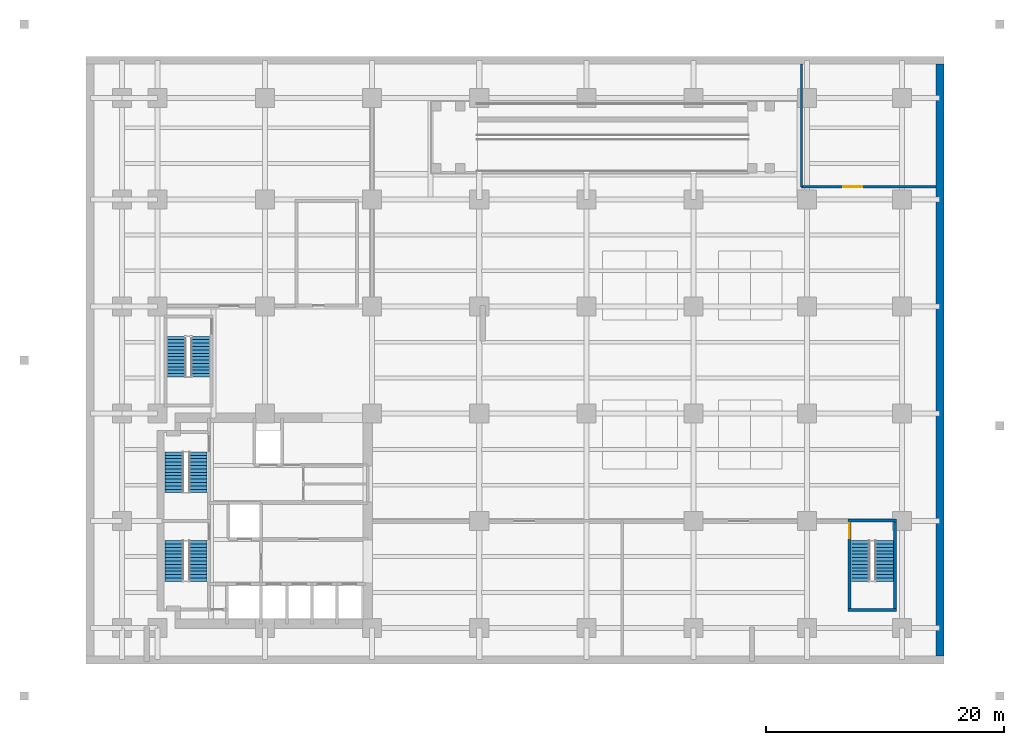
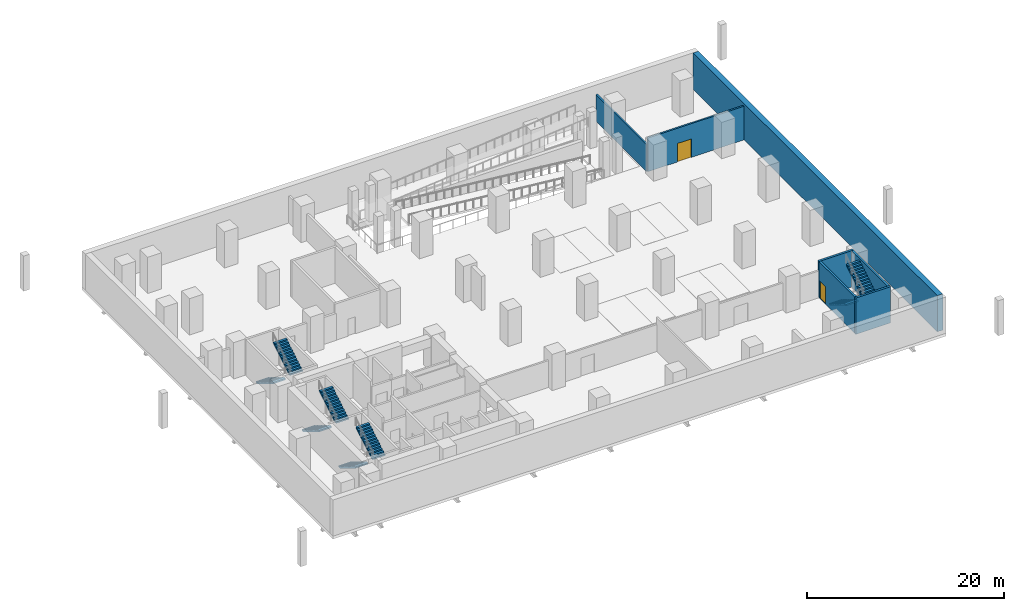
# One storey, part 8 of 10: 8 stair flights, 7 walls, 2 doors, 2 openings, 4 elements without a shape of their own.
"""IFC4 building model written with IfcOpenShell, lengths in metres."""

from ifc_helpers import new_model, si_unit, direction, frame, frame_2d, origin, place, context, subcontext, project, spatial, polyline, rectangle, outline, extrude, material, layer, layer_set, type_object, element, fill, aggregate, save


model = new_model("IFC4")

# Units and contexts
model_context = context("Model", 3, precision=1e-05, world=origin(), true_north=direction((0.0, 1.0)))
body_context = subcontext(model_context, "Body", "Model", "MODEL_VIEW")
ifc_project = project(units=[si_unit("LENGTHUNIT", "METRE"), si_unit("AREAUNIT", "SQUARE_METRE"), si_unit("VOLUMEUNIT", "CUBIC_METRE"), si_unit("PLANEANGLEUNIT", "RADIAN"), si_unit("MASSUNIT", "GRAM", prefix="KILO")], contexts=[model_context])

# Site, building, storey
site_placement = place(None, origin())
site = spatial("IfcSite", under=ifc_project, at=site_placement, CompositionType="ELEMENT")
building_placement = place(site_placement, origin())
building = spatial("IfcBuilding", under=site, at=building_placement, Name="Mawjdan Bourse Tower", CompositionType="ELEMENT")
storey_placement = place(building_placement, frame((0.0, 0.0, -4.5)))
storey = spatial("IfcBuildingStorey", under=building, at=storey_placement, Name="B01", CompositionType="ELEMENT", Elevation=-4.5)

# Wall, opening, door
ifc_material_1 = material(Name="Gypsum Fireboard Assembly")
ifc_layer_1 = layer(ifc_material_1, 0.199951171875)
ifc_layer_set_1 = layer_set([ifc_layer_1], Name="Gypsum Fireboard Assembly")
wall_type_1 = type_object("IfcWallType", Name="WL-CMP-200", PredefinedType="PARTITIONING", material=ifc_layer_set_1)
wall_1_placement = place(storey_placement, frame((60.050048828125, 40.050048828125, 0.0), z_axis=(0.0, 0.0, 1.0), x_axis=(1.0, 0.0, 0.0)))
wall_1 = element("IfcWall", 1, at=wall_1_placement, inside=storey, type_object=wall_type_1, Name="B01 Smoke Fan South Wall", PredefinedType="PARTITIONING", context=body_context, shape_type="SweptSolid", body=[
    extrude(rectangle(XDim=11.300048828125, YDim=0.199951171875, at=frame_2d((5.64990234375, 0.0))), origin(), (0.0, 0.0, 1.0), 4.18994140625),
])
opening_1_placement = place(wall_1_placement, frame((3.5, 0.0, 0.0)))
opening_1 = element("IfcOpeningElement", 2, at=opening_1_placement, cuts=wall_1, Name="Opening PD-B01-24", PredefinedType="OPENING", context=body_context, shape_type="SweptSolid", body=[
    extrude(rectangle(XDim=1.60009765625, YDim=2.300048828125, at=frame_2d((0.800048828125, 1.14990234375))), frame((0.0, 0.10986328125, 0.0), z_axis=(0.0, -1.0, 0.0), x_axis=(1.0, 0.0, 0.0)), (0.0, 0.0, 1.0), 0.219970703125),
])
ifc_material_2 = material(Name="Fire-Rated Acoustic Steel", Category="steel")
door_type_1 = type_object("IfcDoorType", Name="FD-PLT-1600", OperationType="DOUBLE_DOOR_SINGLE_SWING", PredefinedType="DOOR", material=ifc_material_2)
door_1_placement = place(opening_1_placement, origin())
door_1 = element("IfcDoor", 3, at=door_1_placement, inside=storey, type_object=door_type_1, Name="B01 Smoke Fan Room Door PD-B01-24", OperationType="DOUBLE_DOOR_SINGLE_SWING", OverallHeight=2.300048828125, OverallWidth=1.60009765625, PredefinedType="DOOR", context=body_context, shape_type="SweptSolid", body=[
    extrude(rectangle(XDim=1.60009765625, YDim=2.300048828125, at=frame_2d((0.800048828125, 1.14990234375))), frame((0.0, 0.02490234375, 0.0), z_axis=(0.0, -1.0, 0.0), x_axis=(1.0, 0.0, 0.0)), (0.0, 0.0, 1.0), 0.050048828125),
])
fill(opening_1, door_1)

# Walls
wall_2_placement = place(storey_placement, frame((60.050048828125, 40.050048828125, 0.0), z_axis=(0.0, 0.0, 1.0), x_axis=(0.0, 1.0, 0.0)))
element("IfcWall", 4, at=wall_2_placement, inside=storey, type_object=wall_type_1, Name="B01 Smoke Fan West Wall", PredefinedType="PARTITIONING", context=body_context, shape_type="SweptSolid", body=[
    extrude(rectangle(XDim=10.300048828125, YDim=0.199951171875, at=frame_2d((5.14990234375, 0.0))), origin(), (0.0, 0.0, 1.0), 3.333984375),
])
ifc_material_3 = material(Name="Concrete C60/75", Category="concrete")
ifc_layer_2 = layer(ifc_material_3, 0.64990234375)
ifc_layer_set_2 = layer_set([ifc_layer_2], Name="Concrete C60/75")
wall_type_2 = type_object("IfcWallType", Name="WL-RET-650", PredefinedType="USERDEFINED", material=ifc_layer_set_2)
wall_3_placement = place(storey_placement, frame((71.675048828125, 0.64990234375, 0.0), z_axis=(0.0, 0.0, 1.0), x_axis=(0.0, 1.0, 0.0)))
element("IfcWall", 5, at=wall_3_placement, inside=storey, type_object=wall_type_2, Name="B01 Perimeter Diaphragm Retaining Wall E", ObjectType="RETAINING", PredefinedType="USERDEFINED", context=body_context, shape_type="SweptSolid", body=[
    extrude(rectangle(XDim=49.7001953125, YDim=0.64990234375, at=frame_2d((24.85009765625, 0.0))), origin(), (0.0, 0.0, 1.0), 4.5),
])
ifc_material_4 = material(Name="Concrete C50/60", Category="concrete")
ifc_layer_3 = layer(ifc_material_4, 0.25)
ifc_layer_set_3 = layer_set([ifc_layer_3], Name="Concrete C50/60")
wall_type_3 = type_object("IfcWallType", Name="WL-STRW-250", PredefinedType="SHEAR", material=ifc_layer_set_3)
for number, where, z_axis, x_axis, name in (
    (6, (63.955078125, 4.530029296875, 0.0), (0.0, 0.0, 1.0), (1.0, 0.0, 0.0), "B01 ST6 South Shaft Wall"),
    (7, (63.955078125, 12.030029296875, 0.0), (0.0, 0.0, 1.0), (1.0, 0.0, 0.0), "B01 ST6 North Shaft Wall"),
):
    element("IfcWall", number, at=place(storey_placement, frame(where, z_axis=z_axis, x_axis=x_axis)), inside=storey, type_object=wall_type_3, Name=name, PredefinedType="SHEAR", context=body_context, shape_type="SweptSolid", body=[
        extrude(rectangle(XDim=4.08984375, YDim=0.25, at=frame_2d((2.044921875, 0.0))), origin(), (0.0, 0.0, 1.0), 4.5),
    ])
wall_4_placement = place(storey_placement, frame((67.919921875, 4.530029296875, 0.0), z_axis=(0.0, 0.0, 1.0), x_axis=(0.0, 1.0, 0.0)))
element("IfcWall", 8, at=wall_4_placement, inside=storey, type_object=wall_type_3, Name="B01 ST6 East Shaft Wall", PredefinedType="SHEAR", context=body_context, shape_type="SweptSolid", body=[
    extrude(rectangle(XDim=7.5, YDim=0.25, at=frame_2d((3.75, 0.0))), origin(), (0.0, 0.0, 1.0), 4.5),
])

# Wall, opening, door
wall_5_placement = place(storey_placement, frame((64.080078125, 4.530029296875, 0.0), z_axis=(0.0, 0.0, 1.0), x_axis=(0.0, 1.0, 0.0)))
wall_5 = element("IfcWall", 9, at=wall_5_placement, inside=storey, type_object=wall_type_3, Name="B01 ST6 West Shaft Wall", PredefinedType="SHEAR", context=body_context, shape_type="SweptSolid", body=[
    extrude(rectangle(XDim=7.5, YDim=0.25, at=frame_2d((3.75, 0.0))), origin(), (0.0, 0.0, 1.0), 4.5),
])
opening_2_placement = place(wall_5_placement, frame((6.02001953125, 0.0, 0.0)))
opening_2 = element("IfcOpeningElement", 10, at=opening_2_placement, cuts=wall_5, Name="Opening SD-B01-19", PredefinedType="OPENING", context=body_context, shape_type="SweptSolid", body=[
    extrude(rectangle(XDim=1.25, YDim=2.199951171875, at=frame_2d((0.625, 1.10009765625))), frame((0.0, 0.135009765625, 0.0), z_axis=(0.0, -1.0, 0.0), x_axis=(1.0, 0.0, 0.0)), (0.0, 0.0, 1.0), 0.27001953125),
])
ifc_material_5 = material(Name="Fire-Rated Steel Leaf", Category="steel")
door_type_2 = type_object("IfcDoorType", Name="FD-ST-1250", OperationType="NOTDEFINED", PredefinedType="DOOR", material=ifc_material_5)
door_2_placement = place(opening_2_placement, frame((1.25, 0.0, 0.0), z_axis=(0.0, 0.0, 1.0), x_axis=(-1.0, 0.0, 0.0)))
door_2 = element("IfcDoor", 11, at=door_2_placement, inside=storey, type_object=door_type_2, Name="B01 Stair ST6 Fire Door SD-B01-19", OperationType="SINGLE_SWING_RIGHT", OverallHeight=2.199951171875, OverallWidth=1.25, PredefinedType="DOOR", context=body_context, shape_type="SweptSolid", body=[
    extrude(rectangle(XDim=1.25, YDim=2.199951171875, at=frame_2d((0.625, 1.10009765625))), frame((0.0, 0.02490234375, 0.0), z_axis=(0.0, -1.0, 0.0), x_axis=(1.0, 0.0, 0.0)), (0.0, 0.0, 1.0), 0.050048828125),
])
fill(opening_2, door_2)

# Stair, stair flights
stair_type = type_object("IfcStairType", Name="STR-CORE-1500", PredefinedType="HALF_TURN_STAIR", material=ifc_material_4)
stair_1_placement = place(storey_placement, origin())
stair_1 = element("IfcStair", 12, at=stair_1_placement, inside=storey, type_object=stair_type, Name="B01 Exit Stair 1 (Core South-West)", PredefinedType="HALF_TURN_STAIR")
stair_flight_type = type_object("IfcStairFlightType", Name="SFL-RC-1500", PredefinedType="STRAIGHT", material=ifc_material_4)
stair_flight_1_placement = place(storey_placement, frame((7.389892578125, 10.35009765625, 0.0), z_axis=(0.0, 0.0, 1.0), x_axis=(0.0, -1.0, 0.0)))
stair_flight_1 = element("IfcStairFlight", 13, at=stair_flight_1_placement, type_object=stair_flight_type, Name="ST1-B01 flight 1", NumberOfRisers=13, NumberOfTreads=12, PredefinedType="STRAIGHT", RiserHeight=0.173077, TreadLength=0.285, context=body_context, shape_type="SweptSolid", body=[
    extrude(outline(polyline([(0.0, 0.0), (0.0, 0.173095703125), (0.284912109375, 0.173095703125), (0.284912109375, 0.34619140625), (0.570068359375, 0.34619140625), (0.570068359375, 0.519287109375), (0.85498046875, 0.519287109375), (0.85498046875, 0.6923828125), (1.139892578125, 0.6923828125), (1.139892578125, 0.865478515625), (1.425048828125, 0.865478515625), (1.425048828125, 1.03857421875), (1.7099609375, 1.03857421875), (1.7099609375, 1.21142578125), (1.9951171875, 1.21142578125), (1.9951171875, 1.384521484375), (2.280029296875, 1.384521484375), (2.280029296875, 1.5576171875), (2.56494140625, 1.5576171875), (2.56494140625, 1.730712890625), (2.85009765625, 1.730712890625), (2.85009765625, 1.90380859375), (3.135009765625, 1.90380859375), (3.135009765625, 2.076904296875), (3.419921875, 2.076904296875), (3.419921875, 2.25), (3.419921875, 1.889892578125), (0.30810546875, 0.0), (0.0, 0.0)])), frame((0.0, 0.75, 0.0), z_axis=(0.0, -1.0, 0.0), x_axis=(1.0, 0.0, 0.0)), (0.0, 0.0, 1.0), 1.5),
])
stair_flight_2_placement = place(storey_placement, frame((9.409912109375, 6.929931640625, 2.25), z_axis=(0.0, 0.0, 1.0), x_axis=(0.0, 1.0, 0.0)))
stair_flight_2 = element("IfcStairFlight", 14, at=stair_flight_2_placement, type_object=stair_flight_type, Name="ST1-B01 flight 2", NumberOfRisers=13, NumberOfTreads=12, PredefinedType="STRAIGHT", RiserHeight=0.173077, TreadLength=0.285, context=body_context, shape_type="SweptSolid", body=[
    extrude(outline(polyline([(0.0, 0.0), (0.0, 0.173095703125), (0.284912109375, 0.173095703125), (0.284912109375, 0.34619140625), (0.570068359375, 0.34619140625), (0.570068359375, 0.519287109375), (0.85498046875, 0.519287109375), (0.85498046875, 0.6923828125), (1.139892578125, 0.6923828125), (1.139892578125, 0.865478515625), (1.425048828125, 0.865478515625), (1.425048828125, 1.03857421875), (1.7099609375, 1.03857421875), (1.7099609375, 1.21142578125), (1.9951171875, 1.21142578125), (1.9951171875, 1.384521484375), (2.280029296875, 1.384521484375), (2.280029296875, 1.5576171875), (2.56494140625, 1.5576171875), (2.56494140625, 1.730712890625), (2.85009765625, 1.730712890625), (2.85009765625, 1.90380859375), (3.135009765625, 1.90380859375), (3.135009765625, 2.076904296875), (3.419921875, 2.076904296875), (3.419921875, 2.25), (3.419921875, 1.889892578125), (0.30810546875, 0.0), (0.0, 0.0)])), frame((0.0, 0.75, 0.0), z_axis=(0.0, -1.0, 0.0), x_axis=(1.0, 0.0, 0.0)), (0.0, 0.0, 1.0), 1.5),
])
aggregate(stair_1, [stair_flight_1, stair_flight_2])

stair_2_placement = place(storey_placement, origin())
stair_2 = element("IfcStair", 15, at=stair_2_placement, inside=storey, type_object=stair_type, Name="B01 Exit Stair 2 (Core North-West)", PredefinedType="HALF_TURN_STAIR")
stair_flight_3_placement = place(storey_placement, frame((7.389892578125, 17.7900390625, 0.0), z_axis=(0.0, 0.0, 1.0), x_axis=(0.0, -1.0, 0.0)))
stair_flight_3 = element("IfcStairFlight", 16, at=stair_flight_3_placement, type_object=stair_flight_type, Name="ST2-B01 flight 1", NumberOfRisers=13, NumberOfTreads=12, PredefinedType="STRAIGHT", RiserHeight=0.173077, TreadLength=0.285, context=body_context, shape_type="SweptSolid", body=[
    extrude(outline(polyline([(0.0, 0.0), (0.0, 0.173095703125), (0.284912109375, 0.173095703125), (0.284912109375, 0.34619140625), (0.570068359375, 0.34619140625), (0.570068359375, 0.519287109375), (0.85498046875, 0.519287109375), (0.85498046875, 0.6923828125), (1.139892578125, 0.6923828125), (1.139892578125, 0.865478515625), (1.425048828125, 0.865478515625), (1.425048828125, 1.03857421875), (1.7099609375, 1.03857421875), (1.7099609375, 1.21142578125), (1.9951171875, 1.21142578125), (1.9951171875, 1.384521484375), (2.280029296875, 1.384521484375), (2.280029296875, 1.5576171875), (2.56494140625, 1.5576171875), (2.56494140625, 1.730712890625), (2.85009765625, 1.730712890625), (2.85009765625, 1.90380859375), (3.135009765625, 1.90380859375), (3.135009765625, 2.076904296875), (3.419921875, 2.076904296875), (3.419921875, 2.25), (3.419921875, 1.889892578125), (0.30810546875, 0.0), (0.0, 0.0)])), frame((0.0, 0.75, 0.0), z_axis=(0.0, -1.0, 0.0), x_axis=(1.0, 0.0, 0.0)), (0.0, 0.0, 1.0), 1.5),
])
stair_flight_4_placement = place(storey_placement, frame((9.409912109375, 14.3701171875, 2.25), z_axis=(0.0, 0.0, 1.0), x_axis=(0.0, 1.0, 0.0)))
stair_flight_4 = element("IfcStairFlight", 17, at=stair_flight_4_placement, type_object=stair_flight_type, Name="ST2-B01 flight 2", NumberOfRisers=13, NumberOfTreads=12, PredefinedType="STRAIGHT", RiserHeight=0.173077, TreadLength=0.285, context=body_context, shape_type="SweptSolid", body=[
    extrude(outline(polyline([(0.0, 0.0), (0.0, 0.173095703125), (0.284912109375, 0.173095703125), (0.284912109375, 0.34619140625), (0.570068359375, 0.34619140625), (0.570068359375, 0.519287109375), (0.85498046875, 0.519287109375), (0.85498046875, 0.6923828125), (1.139892578125, 0.6923828125), (1.139892578125, 0.865478515625), (1.425048828125, 0.865478515625), (1.425048828125, 1.03857421875), (1.7099609375, 1.03857421875), (1.7099609375, 1.21142578125), (1.9951171875, 1.21142578125), (1.9951171875, 1.384521484375), (2.280029296875, 1.384521484375), (2.280029296875, 1.5576171875), (2.56494140625, 1.5576171875), (2.56494140625, 1.730712890625), (2.85009765625, 1.730712890625), (2.85009765625, 1.90380859375), (3.135009765625, 1.90380859375), (3.135009765625, 2.076904296875), (3.419921875, 2.076904296875), (3.419921875, 2.25), (3.419921875, 1.889892578125), (0.30810546875, 0.0), (0.0, 0.0)])), frame((0.0, 0.75, 0.0), z_axis=(0.0, -1.0, 0.0), x_axis=(1.0, 0.0, 0.0)), (0.0, 0.0, 1.0), 1.5),
])
aggregate(stair_2, [stair_flight_3, stair_flight_4])

stair_3_placement = place(storey_placement, origin())
stair_3 = element("IfcStair", 18, at=stair_3_placement, inside=storey, type_object=stair_type, Name="B01 Exit Stair 3 (North Wing)", PredefinedType="HALF_TURN_STAIR")
stair_flight_5_placement = place(storey_placement, frame((7.590087890625, 27.5, 0.0), z_axis=(0.0, 0.0, 1.0), x_axis=(0.0, -1.0, 0.0)))
stair_flight_5 = element("IfcStairFlight", 19, at=stair_flight_5_placement, type_object=stair_flight_type, Name="ST3-B01 flight 1", NumberOfRisers=13, NumberOfTreads=12, PredefinedType="STRAIGHT", RiserHeight=0.173077, TreadLength=0.285, context=body_context, shape_type="SweptSolid", body=[
    extrude(outline(polyline([(0.0, 0.0), (0.0, 0.173095703125), (0.284912109375, 0.173095703125), (0.284912109375, 0.34619140625), (0.570068359375, 0.34619140625), (0.570068359375, 0.519287109375), (0.85498046875, 0.519287109375), (0.85498046875, 0.6923828125), (1.139892578125, 0.6923828125), (1.139892578125, 0.865478515625), (1.425048828125, 0.865478515625), (1.425048828125, 1.03857421875), (1.7099609375, 1.03857421875), (1.7099609375, 1.21142578125), (1.9951171875, 1.21142578125), (1.9951171875, 1.384521484375), (2.280029296875, 1.384521484375), (2.280029296875, 1.5576171875), (2.56494140625, 1.5576171875), (2.56494140625, 1.730712890625), (2.85009765625, 1.730712890625), (2.85009765625, 1.90380859375), (3.135009765625, 1.90380859375), (3.135009765625, 2.076904296875), (3.419921875, 2.076904296875), (3.419921875, 2.25), (3.419921875, 1.889892578125), (0.30810546875, 0.0), (0.0, 0.0)])), frame((0.0, 0.75, 0.0), z_axis=(0.0, -1.0, 0.0), x_axis=(1.0, 0.0, 0.0)), (0.0, 0.0, 1.0), 1.5),
])
stair_flight_6_placement = place(storey_placement, frame((9.610107421875, 24.080078125, 2.25), z_axis=(0.0, 0.0, 1.0), x_axis=(0.0, 1.0, 0.0)))
stair_flight_6 = element("IfcStairFlight", 20, at=stair_flight_6_placement, type_object=stair_flight_type, Name="ST3-B01 flight 2", NumberOfRisers=13, NumberOfTreads=12, PredefinedType="STRAIGHT", RiserHeight=0.173077, TreadLength=0.285, context=body_context, shape_type="SweptSolid", body=[
    extrude(outline(polyline([(0.0, 0.0), (0.0, 0.173095703125), (0.284912109375, 0.173095703125), (0.284912109375, 0.34619140625), (0.570068359375, 0.34619140625), (0.570068359375, 0.519287109375), (0.85498046875, 0.519287109375), (0.85498046875, 0.6923828125), (1.139892578125, 0.6923828125), (1.139892578125, 0.865478515625), (1.425048828125, 0.865478515625), (1.425048828125, 1.03857421875), (1.7099609375, 1.03857421875), (1.7099609375, 1.21142578125), (1.9951171875, 1.21142578125), (1.9951171875, 1.384521484375), (2.280029296875, 1.384521484375), (2.280029296875, 1.5576171875), (2.56494140625, 1.5576171875), (2.56494140625, 1.730712890625), (2.85009765625, 1.730712890625), (2.85009765625, 1.90380859375), (3.135009765625, 1.90380859375), (3.135009765625, 2.076904296875), (3.419921875, 2.076904296875), (3.419921875, 2.25), (3.419921875, 1.889892578125), (0.30810546875, 0.0), (0.0, 0.0)])), frame((0.0, 0.75, 0.0), z_axis=(0.0, -1.0, 0.0), x_axis=(1.0, 0.0, 0.0)), (0.0, 0.0, 1.0), 1.5),
])
aggregate(stair_3, [stair_flight_5, stair_flight_6])

stair_4_placement = place(storey_placement, origin())
stair_4 = element("IfcStair", 21, at=stair_4_placement, inside=storey, type_object=stair_type, Name="B01 Exit Stair 6 (East Podium Pier)", PredefinedType="HALF_TURN_STAIR")
stair_flight_7_placement = place(storey_placement, frame((64.989990234375, 10.35009765625, 0.0), z_axis=(0.0, 0.0, 1.0), x_axis=(0.0, -1.0, 0.0)))
stair_flight_7 = element("IfcStairFlight", 22, at=stair_flight_7_placement, type_object=stair_flight_type, Name="ST6-B01 flight 1", NumberOfRisers=13, NumberOfTreads=12, PredefinedType="STRAIGHT", RiserHeight=0.173077, TreadLength=0.285, context=body_context, shape_type="SweptSolid", body=[
    extrude(outline(polyline([(0.0, 0.0), (0.0, 0.173095703125), (0.284912109375, 0.173095703125), (0.284912109375, 0.34619140625), (0.570068359375, 0.34619140625), (0.570068359375, 0.519287109375), (0.85498046875, 0.519287109375), (0.85498046875, 0.6923828125), (1.139892578125, 0.6923828125), (1.139892578125, 0.865478515625), (1.425048828125, 0.865478515625), (1.425048828125, 1.03857421875), (1.7099609375, 1.03857421875), (1.7099609375, 1.21142578125), (1.9951171875, 1.21142578125), (1.9951171875, 1.384521484375), (2.280029296875, 1.384521484375), (2.280029296875, 1.5576171875), (2.56494140625, 1.5576171875), (2.56494140625, 1.730712890625), (2.85009765625, 1.730712890625), (2.85009765625, 1.90380859375), (3.135009765625, 1.90380859375), (3.135009765625, 2.076904296875), (3.419921875, 2.076904296875), (3.419921875, 2.25), (3.419921875, 1.889892578125), (0.30810546875, 0.0), (0.0, 0.0)])), frame((0.0, 0.75, 0.0), z_axis=(0.0, -1.0, 0.0), x_axis=(1.0, 0.0, 0.0)), (0.0, 0.0, 1.0), 1.5),
])
stair_flight_8_placement = place(storey_placement, frame((67.010009765625, 6.929931640625, 2.25), z_axis=(0.0, 0.0, 1.0), x_axis=(0.0, 1.0, 0.0)))
stair_flight_8 = element("IfcStairFlight", 23, at=stair_flight_8_placement, type_object=stair_flight_type, Name="ST6-B01 flight 2", NumberOfRisers=13, NumberOfTreads=12, PredefinedType="STRAIGHT", RiserHeight=0.173077, TreadLength=0.285, context=body_context, shape_type="SweptSolid", body=[
    extrude(outline(polyline([(0.0, 0.0), (0.0, 0.173095703125), (0.284912109375, 0.173095703125), (0.284912109375, 0.34619140625), (0.570068359375, 0.34619140625), (0.570068359375, 0.519287109375), (0.85498046875, 0.519287109375), (0.85498046875, 0.6923828125), (1.139892578125, 0.6923828125), (1.139892578125, 0.865478515625), (1.425048828125, 0.865478515625), (1.425048828125, 1.03857421875), (1.7099609375, 1.03857421875), (1.7099609375, 1.21142578125), (1.9951171875, 1.21142578125), (1.9951171875, 1.384521484375), (2.280029296875, 1.384521484375), (2.280029296875, 1.5576171875), (2.56494140625, 1.5576171875), (2.56494140625, 1.730712890625), (2.85009765625, 1.730712890625), (2.85009765625, 1.90380859375), (3.135009765625, 1.90380859375), (3.135009765625, 2.076904296875), (3.419921875, 2.076904296875), (3.419921875, 2.25), (3.419921875, 1.889892578125), (0.30810546875, 0.0), (0.0, 0.0)])), frame((0.0, 0.75, 0.0), z_axis=(0.0, -1.0, 0.0), x_axis=(1.0, 0.0, 0.0)), (0.0, 0.0, 1.0), 1.5),
])
aggregate(stair_4, [stair_flight_7, stair_flight_8])

save(model, "model.ifc")
